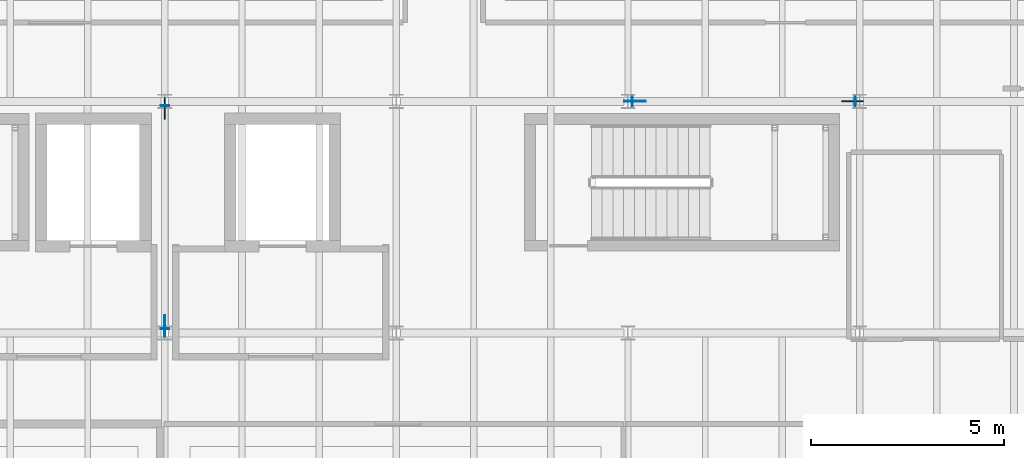
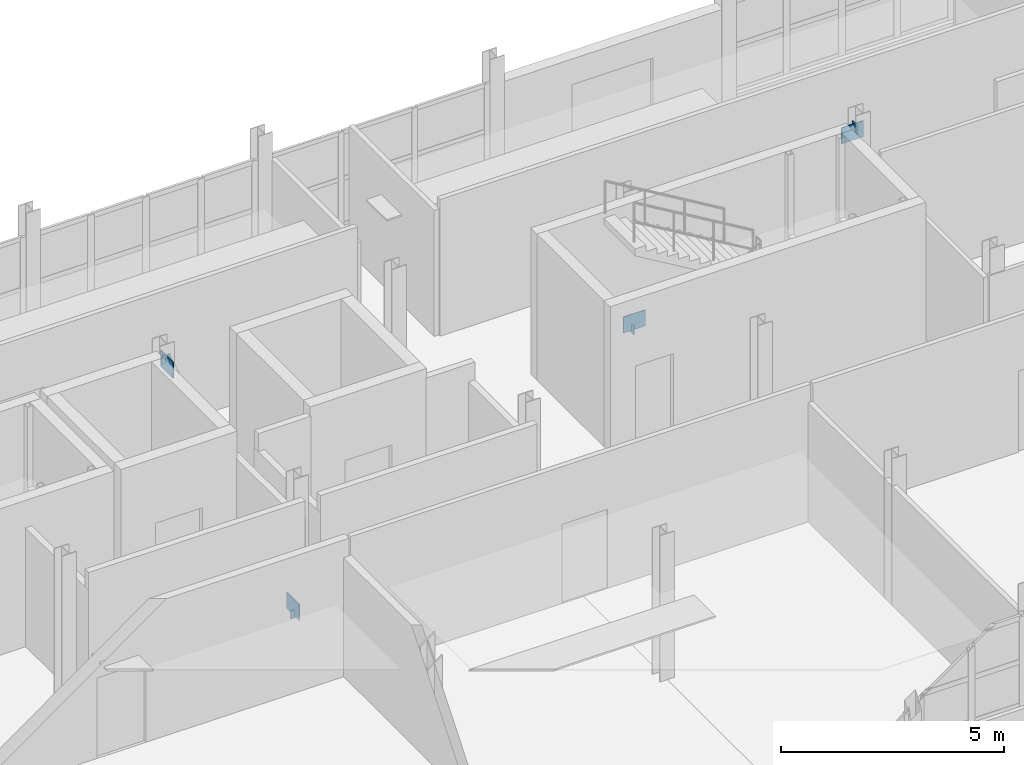
# One storey, part 29 of 45: 8 plates.
"""IFC4 building model written with IfcOpenShell, lengths in metres."""

import ifcopenshell
import ifcopenshell.guid

model = None  # the IFC model being written
_history = None  # IfcOwnerHistory: only IFC2X3 demands one
_inside = {}  # id of a spatial element -> (the spatial element, [elements in it])
_under = {}  # id of a project, library or spatial element -> (it, [spatial elements below it])
_declared = {}  # id of a project -> (the project, [libraries it declares])
_typed = {}  # id of a type object -> (the type object, [elements of that type])
_made_of = {}  # id of a material, layer set ... -> (it, [elements and type objects made of it])


def new_model(schema):
    """Start an empty IFC model of exactly this schema.

    Asked for "IFC4X3", IfcOpenShell would pick the latest addendum, in which some entities
    have other attributes; the version numbers below select the first issue.
    IFC2X3 requires an IfcOwnerHistory on every rooted entity: one is made here for all.
    """
    global model, _history
    if schema == "IFC4X3":
        model = ifcopenshell.file(schema_version=(4, 3, 0, 0))
    else:
        model = ifcopenshell.file(schema=schema)
    _inside.clear()
    _under.clear()
    _declared.clear()
    _typed.clear()
    _made_of.clear()
    _history = None
    if model.schema == "IFC2X3":
        org = make("IfcOrganization", Name="unknown")
        user = make(
            "IfcPersonAndOrganization",
            ThePerson=make("IfcPerson", FamilyName="unknown"),
            TheOrganization=org,
        )
        app = make(
            "IfcApplication",
            ApplicationDeveloper=org,
            Version="unknown",
            ApplicationFullName="unknown",
            ApplicationIdentifier="unknown",
        )
        _history = make(
            "IfcOwnerHistory",
            OwningUser=user,
            OwningApplication=app,
            ChangeAction="ADDED",
            CreationDate=0,
        )
    return model


def make(cls, **values):
    """One entity of the class cls with the attributes given. An attribute that is None is left unset."""
    return model.create_entity(
        cls, **{name: value for name, value in values.items() if value is not None}
    )


def rooted(cls, **values):
    """An entity with a GlobalId (a new one), such as an element, a storey or a relation."""
    return make(cls, GlobalId=ifcopenshell.guid.new(), OwnerHistory=_history, **values)


def si_unit(unit_type, name, prefix=None):
    """IfcSIUnit, for example si_unit("LENGTHUNIT", "METRE", prefix="MILLI")."""
    return make("IfcSIUnit", UnitType=unit_type, Prefix=prefix, Name=name)


def assignment(units):
    """IfcUnitAssignment: the units of a project."""
    return None if units is None else make("IfcUnitAssignment", Units=units)


def point(xyz):
    """IfcCartesianPoint."""
    return None if xyz is None else make("IfcCartesianPoint", Coordinates=xyz)


def direction(xyz):
    """IfcDirection."""
    return None if xyz is None else make("IfcDirection", DirectionRatios=xyz)


def frame(location, z_axis=None, x_axis=None):
    """IfcAxis2Placement3D, a coordinate frame: its origin and axes. An axis left out is left unset."""
    return make(
        "IfcAxis2Placement3D",
        Location=point(location),
        Axis=direction(z_axis),
        RefDirection=direction(x_axis),
    )


def frame_2d(location, x_axis=None):
    """IfcAxis2Placement2D, a coordinate frame in the plane: its origin and x axis."""
    return make(
        "IfcAxis2Placement2D", Location=point(location), RefDirection=direction(x_axis)
    )


def origin():
    """The frame at (0, 0, 0) with its axes left unset."""
    return frame((0.0, 0.0, 0.0))


def origin_2d():
    """The frame at (0, 0) in the plane with its x axis left unset."""
    return frame_2d((0.0, 0.0))


def place(relative_to, where):
    """IfcLocalPlacement: puts the frame where relative to a parent placement (None: the world)."""
    return make(
        "IfcLocalPlacement", PlacementRelTo=relative_to, RelativePlacement=where
    )


def context(
    kind, dimensions, precision=None, world=None, true_north=None, identifier=None
):
    """IfcGeometricRepresentationContext, for example the 3D "Model" context."""
    return make(
        "IfcGeometricRepresentationContext",
        ContextIdentifier=identifier,
        ContextType=kind,
        CoordinateSpaceDimension=dimensions,
        Precision=precision,
        WorldCoordinateSystem=world,
        TrueNorth=true_north,
    )


def subcontext(parent, identifier, kind, view, scale=None):
    """IfcGeometricRepresentationSubContext, for example "Body" below "Model"."""
    return make(
        "IfcGeometricRepresentationSubContext",
        ContextIdentifier=identifier,
        ContextType=kind,
        ParentContext=parent,
        TargetScale=scale,
        TargetView=view,
    )


def project(units=None, contexts=None):
    """IfcProject with its units and contexts."""
    return rooted(
        "IfcProject",
        Name="project",
        RepresentationContexts=contexts,
        UnitsInContext=assignment(units),
    )


def spatial(cls, under=None, at=None, **own):
    """A site, building, storey or space (cls), placed at a placement, below another one or the project."""
    s = rooted(cls, ObjectPlacement=at, **own)
    if under is not None:
        _under.setdefault(under.id(), (under, []))[1].append(s)
    return s


def profile(cls, at=None, kind="AREA", **sizes):
    """A parametric profile (cls). Its sizes go by their IFC names, for example OverallWidth=200.0."""
    return make(cls, ProfileType=kind, Position=at, **sizes)


def rectangle(**sizes):
    """IfcRectangleProfileDef."""
    return profile("IfcRectangleProfileDef", **sizes)


def extrude(swept, where, along, depth):
    """IfcExtrudedAreaSolid: the profile swept, set in the frame where, extruded along a direction by depth."""
    return make(
        "IfcExtrudedAreaSolid",
        SweptArea=swept,
        Position=where,
        ExtrudedDirection=direction(along),
        Depth=depth,
    )


def shape(context_of_items, identifier, shape_type, items):
    """IfcShapeRepresentation: the items that make up one representation, for example the "Body"."""
    return make(
        "IfcShapeRepresentation",
        ContextOfItems=context_of_items,
        RepresentationIdentifier=identifier,
        RepresentationType=shape_type,
        Items=items,
    )


def material(Name=None, Category=None):
    """IfcMaterial."""
    return make("IfcMaterial", Name=Name, Category=Category)


def layer(
    of_material, thickness, ventilated=None, Name=None, Category=None, Priority=None
):
    """IfcMaterialLayer: one layer of a wall or slab, of a material (None: an air gap)."""
    return make(
        "IfcMaterialLayer",
        Material=of_material,
        LayerThickness=thickness,
        IsVentilated=ventilated,
        Name=Name,
        Category=Category,
        Priority=Priority,
    )


def layer_set(layers, Name=None):
    """IfcMaterialLayerSet."""
    return make("IfcMaterialLayerSet", MaterialLayers=layers, LayerSetName=Name)


def made_of(thing, what):
    """Note that an element or type object is made of a material, layer set ...; save() writes the relation."""
    if what is not None:
        _made_of.setdefault(what.id(), (what, []))[1].append(thing)
    return thing


def type_object(cls, material=None, **own):
    """A type object (cls), such as IfcWallType, which elements share."""
    return made_of(rooted(cls, **own), material)


def element(
    cls,
    number,
    at=None,
    inside=None,
    cuts=None,
    type_object=None,
    material=None,
    context=None,
    identifier="Body",
    shape_type=None,
    held_by="IfcProductDefinitionShape",
    body=None,
    shapes=None,
    **own,
):
    """One element of the class cls, such as IfcWall. Its Tag is "e" and its number.

    at: its placement. inside: the storey or other place that contains it. cuts: it is an
    opening in that element (IfcRelVoidsElement). A single representation is given by context,
    identifier, shape_type and body (its items); several are given by shapes. held_by: the class
    of the entity that holds the representations. save() writes the other relations.
    """
    e = rooted(cls, Tag="e%d" % number, ObjectPlacement=at, **own)
    if body is not None:
        shapes = [shape(context, identifier, shape_type, body)]
    if shapes is not None:
        e.Representation = make(held_by, Representations=shapes)
    if inside is not None:
        _inside.setdefault(inside.id(), (inside, []))[1].append(e)
    if cuts is not None:
        rooted(
            "IfcRelVoidsElement", RelatingBuildingElement=cuts, RelatedOpeningElement=e
        )
    if type_object is not None:
        _typed.setdefault(type_object.id(), (type_object, []))[1].append(e)
    return made_of(e, material)


def aggregate(whole, parts):
    """IfcRelAggregates: a whole, such as a stair, and the parts it consists of."""
    return rooted("IfcRelAggregates", RelatingObject=whole, RelatedObjects=parts)


def save(model, path):
    """Write the relations noted so far, then the file.

    IfcRelAggregates (storeys below a building ...), IfcRelContainedInSpatialStructure (elements
    in a storey), IfcRelDefinesByType, IfcRelAssociatesMaterial and IfcRelDeclares: one each for
    every whole, place, type object, material and project.
    """
    for whole, parts in _under.values():
        aggregate(whole, parts)
    for where, things in _inside.values():
        rooted(
            "IfcRelContainedInSpatialStructure",
            RelatedElements=things,
            RelatingStructure=where,
        )
    for kind, things in _typed.values():
        rooted("IfcRelDefinesByType", RelatedObjects=things, RelatingType=kind)
    for what, things in _made_of.values():
        rooted("IfcRelAssociatesMaterial", RelatedObjects=things, RelatingMaterial=what)
    for by, libraries in _declared.values():
        rooted("IfcRelDeclares", RelatingContext=by, RelatedDefinitions=libraries)
    model.write(path)


model = new_model("IFC4")

# Units and contexts
model_context = context("Model", 3, precision=1e-05, world=origin(), true_north=direction((0.0, 1.0)))
body_context = subcontext(model_context, "Body", "Model", "MODEL_VIEW")
ifc_project = project(units=[si_unit("LENGTHUNIT", "METRE"), si_unit("AREAUNIT", "SQUARE_METRE"), si_unit("VOLUMEUNIT", "CUBIC_METRE"), si_unit("PLANEANGLEUNIT", "RADIAN"), si_unit("MASSUNIT", "GRAM", prefix="KILO")], contexts=[model_context])

# Site, building, storey
site_placement = place(None, origin())
site = spatial("IfcSite", under=ifc_project, at=site_placement, CompositionType="ELEMENT")
building_placement = place(site_placement, origin())
building = spatial("IfcBuilding", under=site, at=building_placement, Name="Siltcreek Boulevard Central Fire Station", CompositionType="ELEMENT")
storey_placement = place(building_placement, frame((0.0, 0.0, 10.0)))
storey = spatial("IfcBuildingStorey", under=building, at=storey_placement, Name="L03", CompositionType="ELEMENT", Elevation=10.0)

# Plates
ifc_material = material(Name="Structural steel ASTM A572 Gr50", Category="steel")
ifc_layer_1 = layer(ifc_material, 0.02490234375, Name="Structural steel ASTM A572 Gr50")
ifc_layer_set_1 = layer_set([ifc_layer_1], Name="Structural steel ASTM A572 Gr50")
plate_type_1 = type_object("IfcPlateType", Name="PL_CAP25", PredefinedType="USERDEFINED", material=ifc_layer_set_1)
for number, where, z_axis, x_axis, name in (
    (1, (148.31103515625, 106.199951171875, -0.025390625), (0.0, 0.0, 1.0), (1.0, 0.0, 0.0), "L03 buckling-restrained brace BR-028 sealed end cap 1"),
    (2, (154.089111328125, 106.199951171875, 3.435546875), (0.0, 0.0, 1.0), (1.0, 0.0, 0.0), "L03 buckling-restrained brace BR-028 sealed end cap 2"),
):
    element("IfcPlate", number, at=place(storey_placement, frame(where, z_axis=z_axis, x_axis=x_axis)), inside=storey, type_object=plate_type_1, Name=name, ObjectType="END CAP", PredefinedType="USERDEFINED", context=body_context, shape_type="SweptSolid", body=[
        extrude(rectangle(XDim=0.02490234375, YDim=0.239990234375, at=origin_2d()), origin(), (0.0, 0.0, 1.0), 0.239990234375),
    ])
for number, where, z_axis, x_axis, name in (
    (3, (136.199951171875, 100.31103515625, -0.015625), (0.0, 0.0, 1.0), (0.0, 1.0, 0.0), "L03 buckling-restrained brace BR-034 sealed end cap 1"),
    (4, (136.199951171875, 106.089111328125, 3.4453125), (0.0, 0.0, 1.0), (0.0, 1.0, 0.0), "L03 buckling-restrained brace BR-034 sealed end cap 2"),
):
    element("IfcPlate", number, at=place(storey_placement, frame(where, z_axis=z_axis, x_axis=x_axis)), inside=storey, type_object=plate_type_1, Name=name, ObjectType="END CAP", PredefinedType="USERDEFINED", context=body_context, shape_type="SweptSolid", body=[
        extrude(rectangle(XDim=0.02490234375, YDim=0.219970703125, at=origin_2d()), origin(), (0.0, 0.0, 1.0), 0.219970703125),
    ])
ifc_layer_2 = layer(ifc_material, 0.02197265625, Name="Structural steel ASTM A572 Gr50")
ifc_layer_set_2 = layer_set([ifc_layer_2], Name="Structural steel ASTM A572 Gr50")
plate_type_2 = type_object("IfcPlateType", Name="PL_GUS22", PredefinedType="USERDEFINED", material=ifc_layer_set_2)
for number, where, z_axis, x_axis, name in (
    (5, (148.3798828125, 106.199951171875, 0.030029296875), (0.0, 0.0, 1.0), (1.0, 0.0, 0.0), "Seismic brace bot gusset plate GP-089"),
    (6, (136.199951171875, 100.3798828125, 0.030029296875), (0.0, 0.0, 1.0), (0.0, 1.0, 0.0), "Seismic brace bot gusset plate GP-101"),
):
    element("IfcPlate", number, at=place(storey_placement, frame(where, z_axis=z_axis, x_axis=x_axis)), inside=storey, type_object=plate_type_2, Name=name, ObjectType="GUSSET PLATE", PredefinedType="USERDEFINED", context=body_context, shape_type="SweptSolid", body=[
        extrude(rectangle(XDim=0.56005859375, YDim=0.02197265625, at=origin_2d()), origin(), (0.0, 0.0, 1.0), 0.43994140625),
    ])
ifc_layer_3 = layer(ifc_material, 0.028076171875, Name="Structural steel ASTM A572 Gr50")
ifc_layer_set_3 = layer_set([ifc_layer_3], Name="Structural steel ASTM A572 Gr50")
plate_type_3 = type_object("IfcPlateType", Name="PL_GUS28", PredefinedType="USERDEFINED", material=ifc_layer_set_3)
for number, where, z_axis, x_axis, name in (
    (7, (154.02001953125, 106.199951171875, 3.22998046875), (0.0, 0.0, 1.0), (1.0, 0.0, 0.0), "Seismic brace top gusset plate GP-090"),
    (8, (136.199951171875, 106.02001953125, 3.22998046875), (0.0, 0.0, 1.0), (0.0, 1.0, 0.0), "Seismic brace top gusset plate GP-102"),
):
    element("IfcPlate", number, at=place(storey_placement, frame(where, z_axis=z_axis, x_axis=x_axis)), inside=storey, type_object=plate_type_3, Name=name, ObjectType="GUSSET PLATE", PredefinedType="USERDEFINED", context=body_context, shape_type="SweptSolid", body=[
        extrude(rectangle(XDim=0.56005859375, YDim=0.028076171875, at=origin_2d()), origin(), (0.0, 0.0, 1.0), 0.43994140625),
    ])

save(model, "model.ifc")
